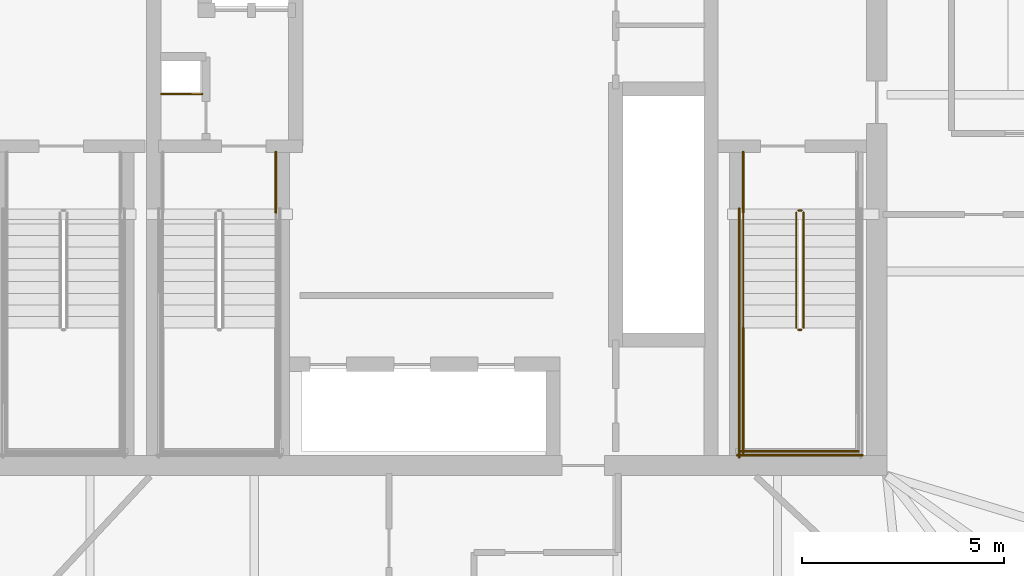
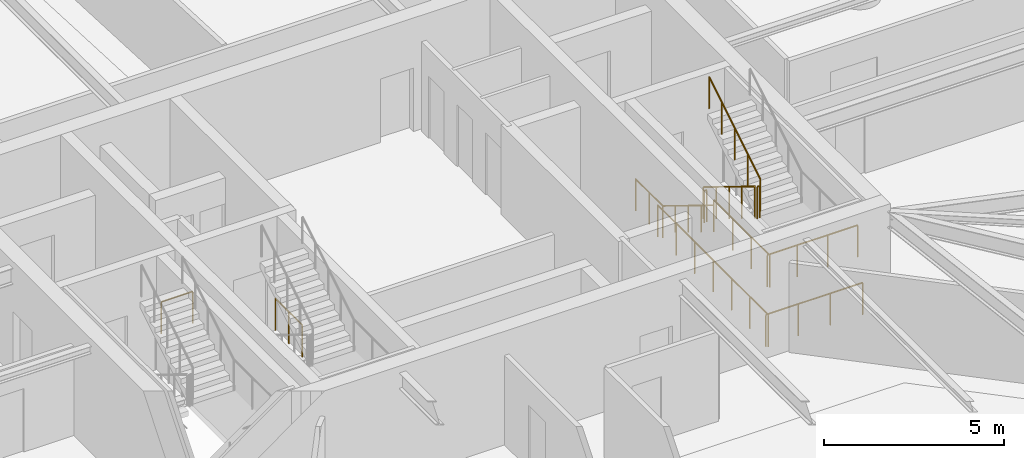
# One storey, part 19 of 20: 12 railings.
"""IFC4 building model written with IfcOpenShell, lengths in metres."""

from ifc_helpers import new_model, si_unit, direction, frame, origin, origin_2d, place, context, subcontext, project, spatial, circle, extrude, material, type_object, element, save


model = new_model("IFC4")

# Units and contexts
model_context = context("Model", 3, precision=1e-05, world=origin(), true_north=direction((0.0, 1.0)))
body_context = subcontext(model_context, "Body", "Model", "MODEL_VIEW")
ifc_project = project(units=[si_unit("LENGTHUNIT", "METRE"), si_unit("AREAUNIT", "SQUARE_METRE"), si_unit("VOLUMEUNIT", "CUBIC_METRE"), si_unit("PLANEANGLEUNIT", "RADIAN"), si_unit("MASSUNIT", "GRAM", prefix="KILO")], contexts=[model_context])

# Site, building, storey
site_placement = place(None, origin())
site = spatial("IfcSite", under=ifc_project, at=site_placement, CompositionType="ELEMENT")
building_placement = place(site_placement, origin())
building = spatial("IfcBuilding", under=site, at=building_placement, Name="Bramvorn Convention Spire", CompositionType="ELEMENT")
storey_placement = place(building_placement, frame((0.0, 0.0, 228.949951171875)))
storey = spatial("IfcBuildingStorey", under=building, at=storey_placement, Name="L58", CompositionType="ELEMENT", Elevation=228.949951171875)

# Railings
ifc_material_1 = material(Name="Painted Steel Balustrade & Guardrail", Category="steel")
railing_type_1 = type_object("IfcRailingType", Name="RL-STAIR-GUARD-1100", PredefinedType="GUARDRAIL", material=ifc_material_1)
railing_1_placement = place(storey_placement, frame((47.010009765625, 25.050048828125, 0.175048828125)))
element("IfcRailing", 1, at=railing_1_placement, inside=storey, type_object=railing_type_1, Name="L58 ST2 stair guard 1", PredefinedType="GUARDRAIL", context=body_context, shape_type="SweptSolid", body=[
    extrude(circle(Radius=0.02392578125, at=origin_2d()), frame((0.0, 0.0, 1.076171875), z_axis=(0.0, -0.852179220489, 0.52325001306), x_axis=(1.0, 0.0, 0.0)), (0.0, 0.0, 1.0), 3.344482421875),
    extrude(circle(Radius=0.02099609375, at=origin_2d()), origin(), (0.0, 0.0, 1.0), 1.052001953125),
    extrude(circle(Radius=0.02099609375, at=origin_2d()), frame((0.0, -0.71240234375, 0.4375)), (0.0, 0.0, 1.0), 1.052001953125),
    extrude(circle(Radius=0.02099609375, at=origin_2d()), frame((0.0, -1.425048828125, 0.875)), (0.0, 0.0, 1.0), 1.052001953125),
    extrude(circle(Radius=0.02099609375, at=origin_2d()), frame((0.0, -2.1376953125, 1.3125)), (0.0, 0.0, 1.0), 1.052001953125),
    extrude(circle(Radius=0.02099609375, at=origin_2d()), frame((0.0, -2.85009765625, 1.75)), (0.0, 0.0, 1.0), 1.052001953125),
])
railing_2_placement = place(storey_placement, frame((47.06005859375, 22.14990234375, 1.925048828125)))
element("IfcRailing", 2, at=railing_2_placement, inside=storey, type_object=railing_type_1, Name="L58 ST2 stair guard 2", PredefinedType="GUARDRAIL", context=body_context, shape_type="SweptSolid", body=[
    extrude(circle(Radius=0.02392578125, at=origin_2d()), frame((0.0, 0.0, 1.076171875), z_axis=(1.0, 0.0, 0.0), x_axis=(0.0, 1.0, 0.0)), (0.0, 0.0, 1.0), 0.079833984375),
    extrude(circle(Radius=0.02099609375, at=origin_2d()), origin(), (0.0, 0.0, 1.0), 1.052001953125),
    extrude(circle(Radius=0.02099609375, at=origin_2d()), frame((0.079833984375, 0.0, 0.0)), (0.0, 0.0, 1.0), 1.052001953125),
])
railing_3_placement = place(storey_placement, frame((45.699951171875, 22.199951171875, 1.925048828125)))
element("IfcRailing", 3, at=railing_3_placement, inside=storey, type_object=railing_type_1, Name="L58 ST2 stair guard 3", PredefinedType="GUARDRAIL", context=body_context, shape_type="SweptSolid", body=[
    extrude(circle(Radius=0.02392578125, at=origin_2d()), frame((0.0, 0.0, 1.076171875), z_axis=(0.0, -1.0, 0.0), x_axis=(1.0, 0.0, 0.0)), (0.0, 0.0, 1.0), 3.099853515625),
    extrude(circle(Radius=0.02099609375, at=origin_2d()), origin(), (0.0, 0.0, 1.0), 1.052001953125),
    extrude(circle(Radius=0.02099609375, at=origin_2d()), frame((0.0, -1.033203125, 0.0)), (0.0, 0.0, 1.0), 1.052001953125),
    extrude(circle(Radius=0.02099609375, at=origin_2d()), frame((0.0, -2.066650390625, 0.0)), (0.0, 0.0, 1.0), 1.052001953125),
    extrude(circle(Radius=0.02099609375, at=origin_2d()), frame((0.0, -3.099853515625, 0.0)), (0.0, 0.0, 1.0), 1.052001953125),
])
railing_4_placement = place(storey_placement, frame((45.64990234375, 19.14990234375, 1.925048828125)))
element("IfcRailing", 4, at=railing_4_placement, inside=storey, type_object=railing_type_1, Name="L58 ST2 stair guard 5", PredefinedType="GUARDRAIL", context=body_context, shape_type="SweptSolid", body=[
    extrude(circle(Radius=0.02392578125, at=origin_2d()), frame((0.0, 0.0, 1.076171875), z_axis=(1.0, 0.0, 0.0), x_axis=(0.0, 1.0, 0.0)), (0.0, 0.0, 1.0), 2.900146484375),
    extrude(circle(Radius=0.02099609375, at=origin_2d()), origin(), (0.0, 0.0, 1.0), 1.052001953125),
    extrude(circle(Radius=0.02099609375, at=origin_2d()), frame((0.966796875, 0.0, 0.0)), (0.0, 0.0, 1.0), 1.052001953125),
    extrude(circle(Radius=0.02099609375, at=origin_2d()), frame((1.933349609375, 0.0, 0.0)), (0.0, 0.0, 1.0), 1.052001953125),
    extrude(circle(Radius=0.02099609375, at=origin_2d()), frame((2.900146484375, 0.0, 0.0)), (0.0, 0.0, 1.0), 1.052001953125),
])
railing_5_placement = place(storey_placement, frame((47.18994140625, 22.199951171875, 2.10009765625)))
element("IfcRailing", 5, at=railing_5_placement, inside=storey, type_object=railing_type_1, Name="L58 ST2 stair guard 6", PredefinedType="GUARDRAIL", context=body_context, shape_type="SweptSolid", body=[
    extrude(circle(Radius=0.02392578125, at=origin_2d()), frame((0.0, 0.0, 1.076171875), z_axis=(0.0, 0.852179220489, 0.52325001306), x_axis=(-1.0, 0.0, 0.0)), (0.0, 0.0, 1.0), 3.344482421875),
    extrude(circle(Radius=0.02099609375, at=origin_2d()), origin(), (0.0, 0.0, 1.0), 1.052001953125),
    extrude(circle(Radius=0.02099609375, at=origin_2d()), frame((0.0, 0.71240234375, 0.4375)), (0.0, 0.0, 1.0), 1.052001953125),
    extrude(circle(Radius=0.02099609375, at=origin_2d()), frame((0.0, 1.425048828125, 0.875)), (0.0, 0.0, 1.0), 1.052001953125),
    extrude(circle(Radius=0.02099609375, at=origin_2d()), frame((0.0, 2.1376953125, 1.3125)), (0.0, 0.0, 1.0), 1.052001953125),
    extrude(circle(Radius=0.02099609375, at=origin_2d()), frame((0.0, 2.85009765625, 1.75)), (0.0, 0.0, 1.0), 1.052001953125),
])
railing_6_placement = place(storey_placement, frame((47.06005859375, 25.10009765625, 0.0)))
element("IfcRailing", 6, at=railing_6_placement, inside=storey, type_object=railing_type_1, Name="L58 ST2 stair guard 7", PredefinedType="GUARDRAIL", context=body_context, shape_type="SweptSolid", body=[
    extrude(circle(Radius=0.02392578125, at=origin_2d()), frame((0.0, 0.0, 1.076171875), z_axis=(1.0, 0.0, 0.0), x_axis=(0.0, 1.0, 0.0)), (0.0, 0.0, 1.0), 0.079833984375),
    extrude(circle(Radius=0.02099609375, at=origin_2d()), origin(), (0.0, 0.0, 1.0), 1.052001953125),
    extrude(circle(Radius=0.02099609375, at=origin_2d()), frame((0.079833984375, 0.0, 0.0)), (0.0, 0.0, 1.0), 1.052001953125),
])
railing_7_placement = place(storey_placement, frame((45.699951171875, 26.550048828125, 0.0)))
element("IfcRailing", 7, at=railing_7_placement, inside=storey, type_object=railing_type_1, Name="L58 ST2 stair guard 8", PredefinedType="GUARDRAIL", context=body_context, shape_type="SweptSolid", body=[
    extrude(circle(Radius=0.02392578125, at=origin_2d()), frame((0.0, 0.0, 1.076171875), z_axis=(0.0, -1.0, 0.0), x_axis=(1.0, 0.0, 0.0)), (0.0, 0.0, 1.0), 1.5),
    extrude(circle(Radius=0.02099609375, at=origin_2d()), origin(), (0.0, 0.0, 1.0), 1.052001953125),
    extrude(circle(Radius=0.02099609375, at=origin_2d()), frame((0.0, -0.75, 0.0)), (0.0, 0.0, 1.0), 1.052001953125),
    extrude(circle(Radius=0.02099609375, at=origin_2d()), frame((0.0, -1.5, 0.0)), (0.0, 0.0, 1.0), 1.052001953125),
])
railing_8_placement = place(storey_placement, frame((45.60009765625, 25.14990234375, 0.0)))
element("IfcRailing", 8, at=railing_8_placement, inside=storey, type_object=railing_type_1, Name="L58 ST2 stair guard 10", PredefinedType="GUARDRAIL", context=body_context, shape_type="SweptSolid", body=[
    extrude(circle(Radius=0.02392578125, at=origin_2d()), frame((0.0, 0.0, 1.076171875), z_axis=(0.0, -1.0, 0.0), x_axis=(1.0, 0.0, 0.0)), (0.0, 0.0, 1.0), 6.14990234375),
    extrude(circle(Radius=0.02099609375, at=origin_2d()), origin(), (0.0, 0.0, 1.0), 1.052001953125),
    extrude(circle(Radius=0.02099609375, at=origin_2d()), frame((0.0, -1.02490234375, 0.0)), (0.0, 0.0, 1.0), 1.052001953125),
    extrude(circle(Radius=0.02099609375, at=origin_2d()), frame((0.0, -2.050048828125, 0.0)), (0.0, 0.0, 1.0), 1.052001953125),
    extrude(circle(Radius=0.02099609375, at=origin_2d()), frame((0.0, -3.074951171875, 0.0)), (0.0, 0.0, 1.0), 1.052001953125),
    extrude(circle(Radius=0.02099609375, at=origin_2d()), frame((0.0, -4.099853515625, 0.0)), (0.0, 0.0, 1.0), 1.052001953125),
    extrude(circle(Radius=0.02099609375, at=origin_2d()), frame((0.0, -5.125, 0.0)), (0.0, 0.0, 1.0), 1.052001953125),
    extrude(circle(Radius=0.02099609375, at=origin_2d()), frame((0.0, -6.14990234375, 0.0)), (0.0, 0.0, 1.0), 1.052001953125),
])
railing_9_placement = place(storey_placement, frame((45.550048828125, 19.050048828125, 0.0)))
element("IfcRailing", 9, at=railing_9_placement, inside=storey, type_object=railing_type_1, Name="L58 ST2 stair guard 12", PredefinedType="GUARDRAIL", context=body_context, shape_type="SweptSolid", body=[
    extrude(circle(Radius=0.02392578125, at=origin_2d()), frame((0.0, 0.0, 1.076171875), z_axis=(1.0, 0.0, 0.0), x_axis=(0.0, 1.0, 0.0)), (0.0, 0.0, 1.0), 3.099853515625),
    extrude(circle(Radius=0.02099609375, at=origin_2d()), origin(), (0.0, 0.0, 1.0), 1.052001953125),
    extrude(circle(Radius=0.02099609375, at=origin_2d()), frame((1.033203125, 0.0, 0.0)), (0.0, 0.0, 1.0), 1.052001953125),
    extrude(circle(Radius=0.02099609375, at=origin_2d()), frame((2.066650390625, 0.0, 0.0)), (0.0, 0.0, 1.0), 1.052001953125),
    extrude(circle(Radius=0.02099609375, at=origin_2d()), frame((3.099853515625, 0.0, 0.0)), (0.0, 0.0, 1.0), 1.052001953125),
])
railing_10_placement = place(storey_placement, frame((34.14990234375, 26.550048828125, 0.0)))
element("IfcRailing", 10, at=railing_10_placement, inside=storey, type_object=railing_type_1, Name="L58 ST3 stair guard 9", PredefinedType="GUARDRAIL", context=body_context, shape_type="SweptSolid", body=[
    extrude(circle(Radius=0.02392578125, at=origin_2d()), frame((0.0, 0.0, 1.076171875), z_axis=(0.0, -1.0, 0.0), x_axis=(1.0, 0.0, 0.0)), (0.0, 0.0, 1.0), 1.5),
    extrude(circle(Radius=0.02099609375, at=origin_2d()), origin(), (0.0, 0.0, 1.0), 1.052001953125),
    extrude(circle(Radius=0.02099609375, at=origin_2d()), frame((0.0, -0.75, 0.0)), (0.0, 0.0, 1.0), 1.052001953125),
    extrude(circle(Radius=0.02099609375, at=origin_2d()), frame((0.0, -1.5, 0.0)), (0.0, 0.0, 1.0), 1.052001953125),
])
railing_11_placement = place(storey_placement, frame((31.320068359375, 27.97998046875, 0.0)))
element("IfcRailing", 11, at=railing_11_placement, inside=storey, type_object=railing_type_1, Name="L58 Telecom riser shaft opening safety guardrail", PredefinedType="GUARDRAIL", context=body_context, shape_type="SweptSolid", body=[
    extrude(circle(Radius=0.02392578125, at=origin_2d()), frame((0.0, 0.0, 1.076171875), z_axis=(1.0, 0.0, 0.0), x_axis=(0.0, 1.0, 0.0)), (0.0, 0.0, 1.0), 1.0),
    extrude(circle(Radius=0.02099609375, at=origin_2d()), origin(), (0.0, 0.0, 1.0), 1.052001953125),
    extrude(circle(Radius=0.02099609375, at=origin_2d()), frame((1.0, 0.0, 0.0)), (0.0, 0.0, 1.0), 1.052001953125),
])
ifc_material_2 = material(Name="Brushed Bronze Tubular Handrail", Category="aluminium")
railing_type_2 = type_object("IfcRailingType", Name="RL-STAIR-HR-920", PredefinedType="HANDRAIL", material=ifc_material_2)
railing_12_placement = place(storey_placement, frame((45.699951171875, 25.050048828125, 0.175048828125)))
element("IfcRailing", 12, at=railing_12_placement, inside=storey, type_object=railing_type_2, Name="L58 ST2 stair handrail 1", PredefinedType="HANDRAIL", context=body_context, shape_type="SweptSolid", body=[
    extrude(circle(Radius=0.02392578125, at=origin_2d()), frame((0.0, 0.0, 0.89599609375), z_axis=(0.0, -0.852179220489, 0.52325001306), x_axis=(1.0, 0.0, 0.0)), (0.0, 0.0, 1.0), 3.344482421875),
    extrude(circle(Radius=0.02099609375, at=origin_2d()), origin(), (0.0, 0.0, 1.0), 0.871826171875),
    extrude(circle(Radius=0.02099609375, at=origin_2d()), frame((0.0, -0.71240234375, 0.4375)), (0.0, 0.0, 1.0), 0.871826171875),
    extrude(circle(Radius=0.02099609375, at=origin_2d()), frame((0.0, -1.425048828125, 0.875)), (0.0, 0.0, 1.0), 0.871826171875),
    extrude(circle(Radius=0.02099609375, at=origin_2d()), frame((0.0, -2.1376953125, 1.3125)), (0.0, 0.0, 1.0), 0.871826171875),
    extrude(circle(Radius=0.02099609375, at=origin_2d()), frame((0.0, -2.85009765625, 1.75)), (0.0, 0.0, 1.0), 0.871826171875),
])

save(model, "model.ifc")
